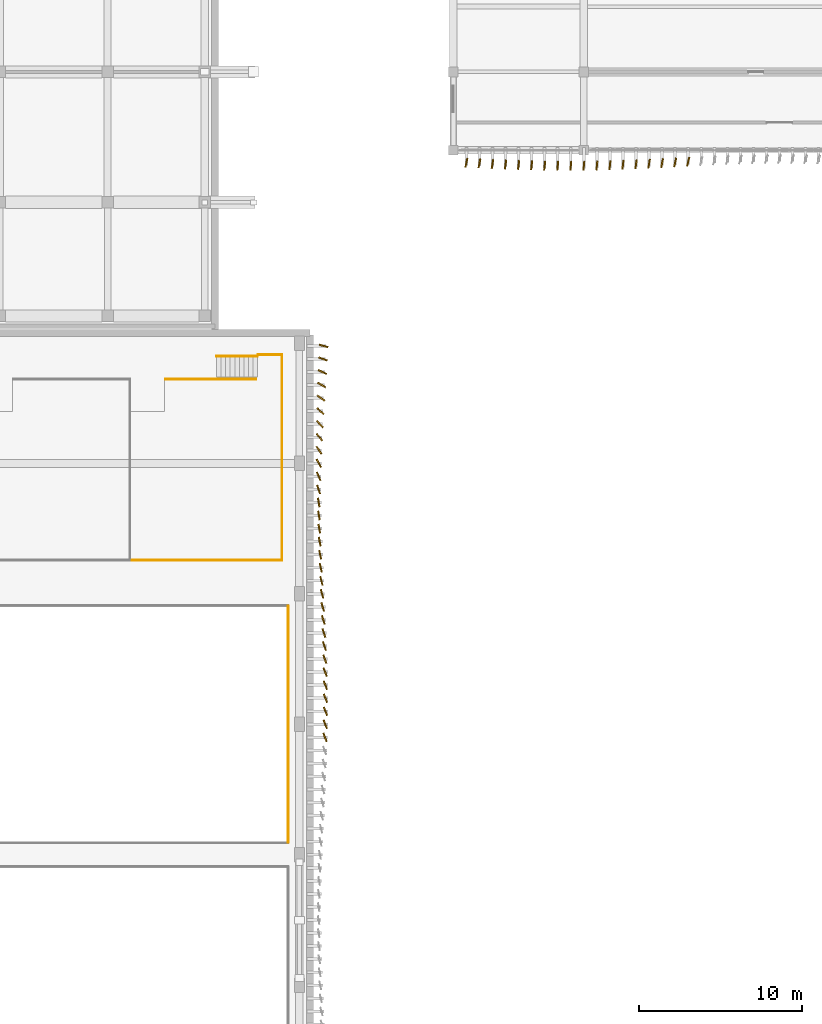
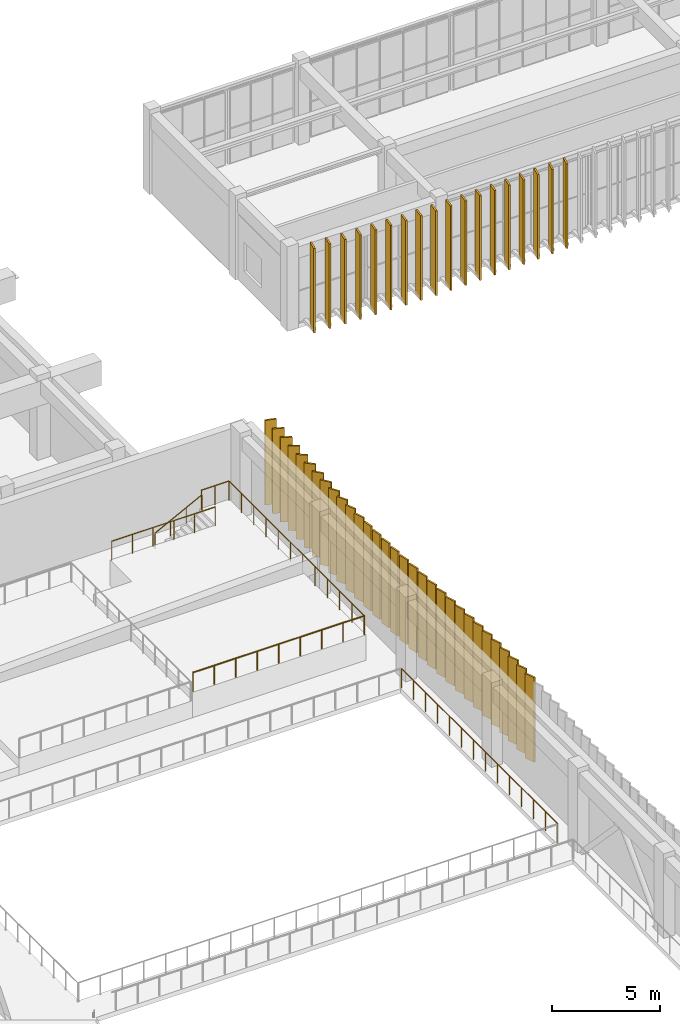
# One storey, part 56 of 64: 49 coverings, 6 railings.
"""IFC4 building model written with IfcOpenShell, lengths in metres."""

from ifc_helpers import new_model, si_unit, direction, frame, origin, origin_2d, place, context, subcontext, project, spatial, rectangle, circle, extrude, material, layer, layer_set, type_object, element, save


model = new_model("IFC4")

# Units and contexts
model_context = context("Model", 3, precision=1e-05, world=origin(), true_north=direction((0.0, 1.0)))
body_context = subcontext(model_context, "Body", "Model", "MODEL_VIEW")
ifc_project = project(units=[si_unit("LENGTHUNIT", "METRE"), si_unit("AREAUNIT", "SQUARE_METRE"), si_unit("VOLUMEUNIT", "CUBIC_METRE"), si_unit("PLANEANGLEUNIT", "RADIAN"), si_unit("MASSUNIT", "GRAM", prefix="KILO")], contexts=[model_context])

# Site, building, storey
site_placement = place(None, origin())
site = spatial("IfcSite", under=ifc_project, at=site_placement, CompositionType="ELEMENT")
building_placement = place(site_placement, origin())
building = spatial("IfcBuilding", under=site, at=building_placement, Name="Cinchona Park Media Centre", CompositionType="ELEMENT")
storey_placement = place(building_placement, frame((0.0, 0.0, 5.39990234375)))
storey = spatial("IfcBuildingStorey", under=building, at=storey_placement, Name="L01", CompositionType="ELEMENT", Elevation=5.39990234375)

# Coverings
ifc_material_1 = material(Name="Anodised Storm-Resistant Aluminium Fin", Category="aluminium")
ifc_layer = layer(ifc_material_1, 0.090087890625)
ifc_layer_set = layer_set([ifc_layer], Name="Anodised Storm-Resistant Aluminium Fin")
covering_type = type_object("IfcCoveringType", Name="CLADDING-FIN01", PredefinedType="CLADDING", material=ifc_layer_set)
for number, where, z_axis, x_axis, name in (
    (1, (46.931884765625, 38.800048828125, 0.0), (0.0, 0.0, 1.0), (-0.345298198999, 0.93849302276, 0.0), "Twisting Vertical Facade Fin L01"),
    (2, (46.947998046875, 39.60009765625, 0.0), (0.0, 0.0, 1.0), (-0.352984997999, 0.935628981588, 0.0), "Twisting Vertical Facade Fin L01"),
    (3, (46.9580078125, 40.39990234375, 0.0), (0.0, 0.0, 1.0), (-0.35739011009, 0.933955196575, 0.0), "Twisting Vertical Facade Fin L01"),
    (4, (46.9599609375, 41.199951171875, 0.0), (0.0, 0.0, 1.0), (-0.358205003565, 0.933642959284, 0.0), "Twisting Vertical Facade Fin L01"),
    (5, (46.9541015625, 42.0, 0.0), (0.0, 0.0, 1.0), (-0.355596387288, 0.93463961469, 0.0), "Twisting Vertical Facade Fin L01"),
    (6, (46.94091796875, 42.800048828125, 0.0), (0.0, 0.0, 1.0), (-0.349553375421, 0.936916451842, 0.0), "Twisting Vertical Facade Fin L01"),
    (7, (46.9208984375, 43.60009765625, 0.0), (0.0, 0.0, 1.0), (-0.340215433792, 0.940347520127, 0.0), "Twisting Vertical Facade Fin L01"),
    (8, (46.89501953125, 44.39990234375, 0.0), (0.0, 0.0, 1.0), (-0.327877517976, 0.944720240709, 0.0), "Twisting Vertical Facade Fin L01"),
    (9, (46.864013671875, 45.199951171875, 0.0), (0.0, 0.0, 1.0), (-0.312998047948, 0.949753769132, 0.0), "Twisting Vertical Facade Fin L01"),
    (10, (46.827880859375, 46.0, 0.0), (0.0, 0.0, 1.0), (-0.296208192067, 0.955123398809, 0.0), "Twisting Vertical Facade Fin L01"),
    (11, (46.7900390625, 46.800048828125, 0.0), (0.0, 0.0, 1.0), (-0.277985336053, 0.960585317887, 0.0), "Twisting Vertical Facade Fin L01"),
    (12, (46.75, 47.60009765625, 0.0), (0.0, 0.0, 1.0), (-0.258819045103, 0.965925826289, 0.0), "Twisting Vertical Facade Fin L01"),
    (13, (46.7099609375, 48.39990234375, 0.0), (0.0, 0.0, 1.0), (-0.239550296042, 0.970883955819, 0.0), "Twisting Vertical Facade Fin L01"),
    (14, (46.672119140625, 49.199951171875, 0.0), (0.0, 0.0, 1.0), (-0.221037880265, 0.975265223151, 0.0), "Twisting Vertical Facade Fin L01"),
    (15, (46.635986328125, 50.0, 0.0), (0.0, 0.0, 1.0), (-0.203812623708, 0.979009915383, 0.0), "Twisting Vertical Facade Fin L01"),
    (16, (46.60498046875, 50.800048828125, 0.0), (0.0, 0.0, 1.0), (-0.188409860458, 0.982090486912, 0.0), "Twisting Vertical Facade Fin L01"),
    (17, (46.5791015625, 51.60009765625, 0.0), (0.0, 0.0, 1.0), (-0.17553855164, 0.984472557712, 0.0), "Twisting Vertical Facade Fin L01"),
    (18, (46.55908203125, 52.39990234375, 0.0), (0.0, 0.0, 1.0), (-0.165736122828, 0.986170136229, 0.0), "Twisting Vertical Facade Fin L01"),
    (19, (46.5458984375, 53.199951171875, 0.0), (0.0, 0.0, 1.0), (-0.15936430246, 0.987219843349, 0.0), "Twisting Vertical Facade Fin L01"),
    (20, (46.5400390625, 54.0, 0.0), (0.0, 0.0, 1.0), (-0.318793887648, 0.947824064475, 0.0), "Twisting Vertical Facade Fin L01"),
    (21, (46.5419921875, 54.800048828125, 0.0), (0.0, 0.0, 1.0), (-0.400029137237, 0.916502421907, 0.0), "Twisting Vertical Facade Fin L01"),
    (22, (46.552001953125, 55.60009765625, 0.0), (0.0, 0.0, 1.0), (-0.478385354909, 0.878150016915, 0.0), "Twisting Vertical Facade Fin L01"),
    (23, (46.568115234375, 56.39990234375, 0.0), (0.0, 0.0, 1.0), (-0.552955356864, 0.833210881659, 0.0), "Twisting Vertical Facade Fin L01"),
    (24, (46.591064453125, 57.199951171875, 0.0), (0.0, 0.0, 1.0), (-0.623333840501, 0.781955832056, 0.0), "Twisting Vertical Facade Fin L01"),
    (25, (46.6201171875, 58.0, 0.0), (0.0, 0.0, 1.0), (-0.688987322062, 0.724773392198, 0.0), "Twisting Vertical Facade Fin L01"),
    (26, (46.654052734375, 58.800048828125, 0.0), (0.0, 0.0, 1.0), (-0.749418134297, 0.662097017051, 0.0), "Twisting Vertical Facade Fin L01"),
    (27, (46.69091796875, 59.60009765625, 0.0), (0.0, 0.0, 1.0), (-0.804271929332, 0.594261443885, 0.0), "Twisting Vertical Facade Fin L01"),
    (28, (46.72998046875, 60.39990234375, 0.0), (0.0, 0.0, 1.0), (-0.852913627072, 0.522052051767, 0.0), "Twisting Vertical Facade Fin L01"),
    (29, (46.77001953125, 61.199951171875, 0.0), (0.0, 0.0, 1.0), (-0.895090059495, 0.445885394908, 0.0), "Twisting Vertical Facade Fin L01"),
    (30, (46.80908203125, 62.0, 0.0), (0.0, 0.0, 1.0), (-0.930481520342, 0.366338832643, 0.0), "Twisting Vertical Facade Fin L01"),
    (31, (46.845947265625, 62.800048828125, 0.0), (0.0, 0.0, 1.0), (-0.958819734868, 0.284015344704, 0.0), "Twisting Vertical Facade Fin L01"),
    (32, (55.60009765625, 74.030029296875, 0.0), (0.0, 0.0, 1.0), (0.213541936916, 0.97693389806, 0.0), "Twisting Vertical Facade Fin L01"),
    (33, (56.39990234375, 73.990966796875, 0.0), (0.0, 0.0, 1.0), (0.191322947989, 0.981527141537, 0.0), "Twisting Vertical Facade Fin L01"),
    (34, (57.199951171875, 73.9541015625, 0.0), (0.0, 0.0, 1.0), (0.170037510451, 0.985437590637, 0.0), "Twisting Vertical Facade Fin L01"),
    (35, (58.0, 73.919921875, 0.0), (0.0, 0.0, 1.0), (0.150743225348, 0.988572951285, 0.0), "Twisting Vertical Facade Fin L01"),
    (36, (58.800048828125, 73.89111328125, 0.0), (0.0, 0.0, 1.0), (0.134159142573, 0.990959799621, 0.0), "Twisting Vertical Facade Fin L01"),
    (37, (59.60009765625, 73.867919921875, 0.0), (0.0, 0.0, 1.0), (0.120829884873, 0.992673228672, 0.0), "Twisting Vertical Facade Fin L01"),
    (38, (60.39990234375, 73.85205078125, 0.0), (0.0, 0.0, 1.0), (0.111122034978, 0.993806768614, 0.0), "Twisting Vertical Facade Fin L01"),
    (39, (61.199951171875, 73.842041015625, 0.0), (0.0, 0.0, 1.0), (0.105743422663, 0.994393447567, 0.0), "Twisting Vertical Facade Fin L01"),
    (40, (62.0, 73.840087890625, 0.0), (0.0, 0.0, 1.0), (0.10470203849, 0.994503636562, 0.0), "Twisting Vertical Facade Fin L01"),
    (41, (62.800048828125, 73.845947265625, 0.0), (0.0, 0.0, 1.0), (0.107999355706, 0.994150963972, 0.0), "Twisting Vertical Facade Fin L01"),
    (42, (63.60009765625, 73.85888671875, 0.0), (0.0, 0.0, 1.0), (0.115457263478, 0.993312448482, 0.0), "Twisting Vertical Facade Fin L01"),
    (43, (64.39990234375, 73.87890625, 0.0), (0.0, 0.0, 1.0), (0.127064608601, 0.99189444259, 0.0), "Twisting Vertical Facade Fin L01"),
    (44, (65.199951171875, 73.905029296875, 0.0), (0.0, 0.0, 1.0), (0.142110668555, 0.989850775563, 0.0), "Twisting Vertical Facade Fin L01"),
    (45, (66.0, 73.93603515625, 0.0), (0.0, 0.0, 1.0), (0.160225753504, 0.987080395872, 0.0), "Twisting Vertical Facade Fin L01"),
    (46, (66.800048828125, 73.971923828125, 0.0), (0.0, 0.0, 1.0), (0.180519145251, 0.983571470813, 0.0), "Twisting Vertical Facade Fin L01"),
    (47, (67.60009765625, 74.010009765625, 0.0), (0.0, 0.0, 1.0), (0.202445469766, 0.979293537082, 0.0), "Twisting Vertical Facade Fin L01"),
    (48, (68.39990234375, 74.050048828125, 0.0), (0.0, 0.0, 1.0), (0.224951054344, 0.974370064785, 0.0), "Twisting Vertical Facade Fin L01"),
    (49, (69.199951171875, 74.090087890625, 0.0), (0.0, 0.0, 1.0), (0.247337247968, 0.968929453452, 0.0), "Twisting Vertical Facade Fin L01"),
):
    element("IfcCovering", number, at=place(storey_placement, frame(where, z_axis=z_axis, x_axis=x_axis)), inside=storey, type_object=covering_type, Name=name, PredefinedType="CLADDING", context=body_context, shape_type="SweptSolid", body=[
        extrude(rectangle(XDim=0.56005859375, YDim=0.090087890625, at=origin_2d()), origin(), (0.0, 0.0, 1.0), 4.800048828125),
    ])

# Railings
ifc_material_2 = material(Name="Galvanised Painted Steel Balustrade", Category="steel")
railing_type_1 = type_object("IfcRailingType", Name="RAILING-GR01", PredefinedType="BALUSTRADE", material=ifc_material_2)
railing_1_placement = place(storey_placement, frame((44.679931640625, 32.35205078125, 0.0)))
element("IfcRailing", 50, at=railing_1_placement, inside=storey, type_object=railing_type_1, Name="Atrium Balustrade GR01 VOID-L01-CIN2 S2", PredefinedType="BALUSTRADE", context=body_context, shape_type="SweptSolid", body=[
    extrude(circle(Radius=0.02392578125, at=origin_2d()), frame((0.0, 0.0, 1.076171875), z_axis=(0.0, 1.0, 0.0), x_axis=(-1.0, 0.0, 0.0)), (0.0, 0.0, 1.0), 14.495849609375),
    extrude(circle(Radius=0.02099609375, at=origin_2d()), origin(), (0.0, 0.0, 1.0), 1.052001953125),
    extrude(circle(Radius=0.02099609375, at=origin_2d()), frame((0.0, 1.114990234375, 0.0)), (0.0, 0.0, 1.0), 1.052001953125),
    extrude(circle(Radius=0.02099609375, at=origin_2d()), frame((0.0, 2.230224609375, 0.0)), (0.0, 0.0, 1.0), 1.052001953125),
    extrude(circle(Radius=0.02099609375, at=origin_2d()), frame((0.0, 3.34521484375, 0.0)), (0.0, 0.0, 1.0), 1.052001953125),
    extrude(circle(Radius=0.02099609375, at=origin_2d()), frame((0.0, 4.460205078125, 0.0)), (0.0, 0.0, 1.0), 1.052001953125),
    extrude(circle(Radius=0.02099609375, at=origin_2d()), frame((0.0, 5.575439453125, 0.0)), (0.0, 0.0, 1.0), 1.052001953125),
    extrude(circle(Radius=0.02099609375, at=origin_2d()), frame((0.0, 6.6904296875, 0.0)), (0.0, 0.0, 1.0), 1.052001953125),
    extrude(circle(Radius=0.02099609375, at=origin_2d()), frame((0.0, 7.805419921875, 0.0)), (0.0, 0.0, 1.0), 1.052001953125),
    extrude(circle(Radius=0.02099609375, at=origin_2d()), frame((0.0, 8.92041015625, 0.0)), (0.0, 0.0, 1.0), 1.052001953125),
    extrude(circle(Radius=0.02099609375, at=origin_2d()), frame((0.0, 10.03564453125, 0.0)), (0.0, 0.0, 1.0), 1.052001953125),
    extrude(circle(Radius=0.02099609375, at=origin_2d()), frame((0.0, 11.150634765625, 0.0)), (0.0, 0.0, 1.0), 1.052001953125),
    extrude(circle(Radius=0.02099609375, at=origin_2d()), frame((0.0, 12.265625, 0.0)), (0.0, 0.0, 1.0), 1.052001953125),
    extrude(circle(Radius=0.02099609375, at=origin_2d()), frame((0.0, 13.380859375, 0.0)), (0.0, 0.0, 1.0), 1.052001953125),
    extrude(circle(Radius=0.02099609375, at=origin_2d()), frame((0.0, 14.495849609375, 0.0)), (0.0, 0.0, 1.0), 1.052001953125),
])
ifc_material_3 = material(Name="Painted Steel Stairwell Guardrail", Category="steel")
railing_type_2 = type_object("IfcRailingType", Name="RAILING-GR02", PredefinedType="GUARDRAIL", material=ifc_material_3)
railing_2_placement = place(storey_placement, frame((44.300048828125, 49.679931640625, 1.440185546875)))
element("IfcRailing", 51, at=railing_2_placement, inside=storey, type_object=railing_type_2, Name="Auditorium Tier Guardrail GR02 147", PredefinedType="GUARDRAIL", context=body_context, shape_type="SweptSolid", body=[
    extrude(circle(Radius=0.02392578125, at=origin_2d()), frame((0.0, 0.0, 1.076171875), z_axis=(0.0, 1.0, 0.0), x_axis=(-1.0, 0.0, 0.0)), (0.0, 0.0, 1.0), 12.5400390625),
    extrude(circle(Radius=0.02099609375, at=origin_2d()), origin(), (0.0, 0.0, 1.0), 1.052001953125),
    extrude(circle(Radius=0.02099609375, at=origin_2d()), frame((0.0, 1.139892578125, 0.0)), (0.0, 0.0, 1.0), 1.052001953125),
    extrude(circle(Radius=0.02099609375, at=origin_2d()), frame((0.0, 2.280029296875, 0.0)), (0.0, 0.0, 1.0), 1.052001953125),
    extrude(circle(Radius=0.02099609375, at=origin_2d()), frame((0.0, 3.419921875, 0.0)), (0.0, 0.0, 1.0), 1.052001953125),
    extrude(circle(Radius=0.02099609375, at=origin_2d()), frame((0.0, 4.56005859375, 0.0)), (0.0, 0.0, 1.0), 1.052001953125),
    extrude(circle(Radius=0.02099609375, at=origin_2d()), frame((0.0, 5.699951171875, 0.0)), (0.0, 0.0, 1.0), 1.052001953125),
    extrude(circle(Radius=0.02099609375, at=origin_2d()), frame((0.0, 6.840087890625, 0.0)), (0.0, 0.0, 1.0), 1.052001953125),
    extrude(circle(Radius=0.02099609375, at=origin_2d()), frame((0.0, 7.97998046875, 0.0)), (0.0, 0.0, 1.0), 1.052001953125),
    extrude(circle(Radius=0.02099609375, at=origin_2d()), frame((0.0, 9.1201171875, 0.0)), (0.0, 0.0, 1.0), 1.052001953125),
    extrude(circle(Radius=0.02099609375, at=origin_2d()), frame((0.0, 10.260009765625, 0.0)), (0.0, 0.0, 1.0), 1.052001953125),
    extrude(circle(Radius=0.02099609375, at=origin_2d()), frame((0.0, 11.400146484375, 0.0)), (0.0, 0.0, 1.0), 1.052001953125),
    extrude(circle(Radius=0.02099609375, at=origin_2d()), frame((0.0, 12.5400390625, 0.0)), (0.0, 0.0, 1.0), 1.052001953125),
])
railing_3_placement = place(storey_placement, frame((35.10009765625, 49.64990234375, 1.440185546875)))
element("IfcRailing", 52, at=railing_3_placement, inside=storey, type_object=railing_type_2, Name="Auditorium Tier Side Guardrail GR02 148", PredefinedType="GUARDRAIL", context=body_context, shape_type="SweptSolid", body=[
    extrude(circle(Radius=0.02392578125, at=origin_2d()), frame((0.0, 0.0, 1.076171875), z_axis=(1.0, 0.0, 0.0), x_axis=(0.0, 1.0, 0.0)), (0.0, 0.0, 1.0), 9.199951171875),
    extrude(circle(Radius=0.02099609375, at=origin_2d()), origin(), (0.0, 0.0, 1.0), 1.052001953125),
    extrude(circle(Radius=0.02099609375, at=origin_2d()), frame((1.14990234375, 0.0, 0.0)), (0.0, 0.0, 1.0), 1.052001953125),
    extrude(circle(Radius=0.02099609375, at=origin_2d()), frame((2.300048828125, 0.0, 0.0)), (0.0, 0.0, 1.0), 1.052001953125),
    extrude(circle(Radius=0.02099609375, at=origin_2d()), frame((3.449951171875, 0.0, 0.0)), (0.0, 0.0, 1.0), 1.052001953125),
    extrude(circle(Radius=0.02099609375, at=origin_2d()), frame((4.60009765625, 0.0, 0.0)), (0.0, 0.0, 1.0), 1.052001953125),
    extrude(circle(Radius=0.02099609375, at=origin_2d()), frame((5.75, 0.0, 0.0)), (0.0, 0.0, 1.0), 1.052001953125),
    extrude(circle(Radius=0.02099609375, at=origin_2d()), frame((6.89990234375, 0.0, 0.0)), (0.0, 0.0, 1.0), 1.052001953125),
    extrude(circle(Radius=0.02099609375, at=origin_2d()), frame((8.050048828125, 0.0, 0.0)), (0.0, 0.0, 1.0), 1.052001953125),
    extrude(circle(Radius=0.02099609375, at=origin_2d()), frame((9.199951171875, 0.0, 0.0)), (0.0, 0.0, 1.0), 1.052001953125),
])
railing_4_placement = place(storey_placement, frame((44.300048828125, 62.25, 1.440185546875)))
element("IfcRailing", 53, at=railing_4_placement, inside=storey, type_object=railing_type_2, Name="Auditorium Tier Side Guardrail GR02 149", PredefinedType="GUARDRAIL", context=body_context, shape_type="SweptSolid", body=[
    extrude(circle(Radius=0.02392578125, at=origin_2d()), frame((0.0, 0.0, 1.076171875), z_axis=(-1.0, 0.0, 0.0), x_axis=(0.0, -1.0, 0.0)), (0.0, 0.0, 1.0), 1.47998046875),
    extrude(circle(Radius=0.02099609375, at=origin_2d()), origin(), (0.0, 0.0, 1.0), 1.052001953125),
    extrude(circle(Radius=0.02099609375, at=origin_2d()), frame((-0.739990234375, 0.0, 0.0)), (0.0, 0.0, 1.0), 1.052001953125),
    extrude(circle(Radius=0.02099609375, at=origin_2d()), frame((-1.47998046875, 0.0, 0.0)), (0.0, 0.0, 1.0), 1.052001953125),
])
railing_5_placement = place(storey_placement, frame((42.699951171875, 60.75, 1.440185546875)))
element("IfcRailing", 54, at=railing_5_placement, inside=storey, type_object=railing_type_2, Name="Auditorium Tier Side Guardrail GR02 150", PredefinedType="GUARDRAIL", context=body_context, shape_type="SweptSolid", body=[
    extrude(circle(Radius=0.02392578125, at=origin_2d()), frame((0.0, 0.0, 1.076171875), z_axis=(-1.0, 0.0, 0.0), x_axis=(0.0, -1.0, 0.0)), (0.0, 0.0, 1.0), 5.550048828125),
    extrude(circle(Radius=0.02099609375, at=origin_2d()), origin(), (0.0, 0.0, 1.0), 1.052001953125),
    extrude(circle(Radius=0.02099609375, at=origin_2d()), frame((-1.110107421875, 0.0, 0.0)), (0.0, 0.0, 1.0), 1.052001953125),
    extrude(circle(Radius=0.02099609375, at=origin_2d()), frame((-2.219970703125, 0.0, 0.0)), (0.0, 0.0, 1.0), 1.052001953125),
    extrude(circle(Radius=0.02099609375, at=origin_2d()), frame((-3.330078125, 0.0, 0.0)), (0.0, 0.0, 1.0), 1.052001953125),
    extrude(circle(Radius=0.02099609375, at=origin_2d()), frame((-4.43994140625, 0.0, 0.0)), (0.0, 0.0, 1.0), 1.052001953125),
    extrude(circle(Radius=0.02099609375, at=origin_2d()), frame((-5.550048828125, 0.0, 0.0)), (0.0, 0.0, 1.0), 1.052001953125),
])
ifc_material_4 = material(Name="Brushed Stainless Steel Handrail", Category="steel")
railing_type_3 = type_object("IfcRailingType", Name="RAILING-HR01", PredefinedType="HANDRAIL", material=ifc_material_4)
railing_6_placement = place(storey_placement, frame((40.280029296875, 62.159912109375, 0.14404296875)))
element("IfcRailing", 55, at=railing_6_placement, inside=storey, type_object=railing_type_3, Name="Handrail HR01 SVM3", PredefinedType="HANDRAIL", context=body_context, shape_type="SweptSolid", body=[
    extrude(circle(Radius=0.02392578125, at=origin_2d()), frame((0.0, 0.0, 0.8759765625), z_axis=(0.889268780088, 0.0, 0.4573849984), x_axis=(0.0, 1.0, 0.0)), (0.0, 0.0, 1.0), 2.833740234375),
    extrude(circle(Radius=0.02099609375, at=origin_2d()), origin(), (0.0, 0.0, 1.0), 0.851806640625),
    extrude(circle(Radius=0.02099609375, at=origin_2d()), frame((0.840087890625, 0.0, 0.43212890625)), (0.0, 0.0, 1.0), 0.851806640625),
    extrude(circle(Radius=0.02099609375, at=origin_2d()), frame((1.679931640625, 0.0, 0.864013671875)), (0.0, 0.0, 1.0), 0.851806640625),
    extrude(circle(Radius=0.02099609375, at=origin_2d()), frame((2.52001953125, 0.0, 1.296142578125)), (0.0, 0.0, 1.0), 0.851806640625),
])

save(model, "model.ifc")
